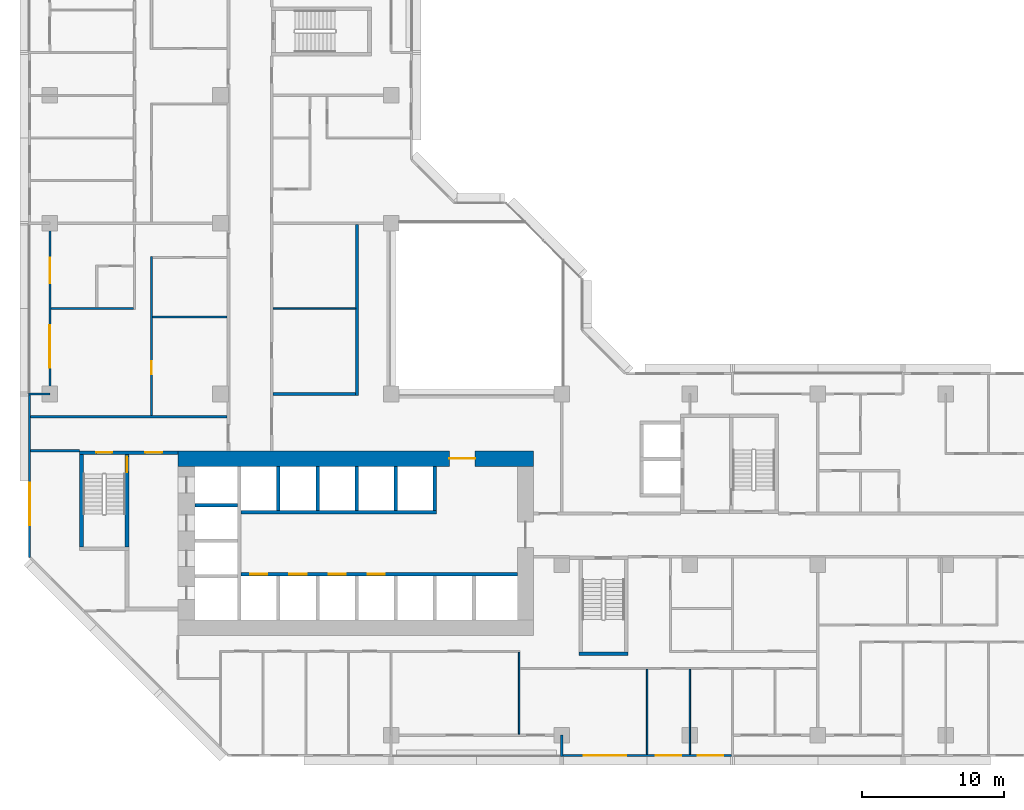
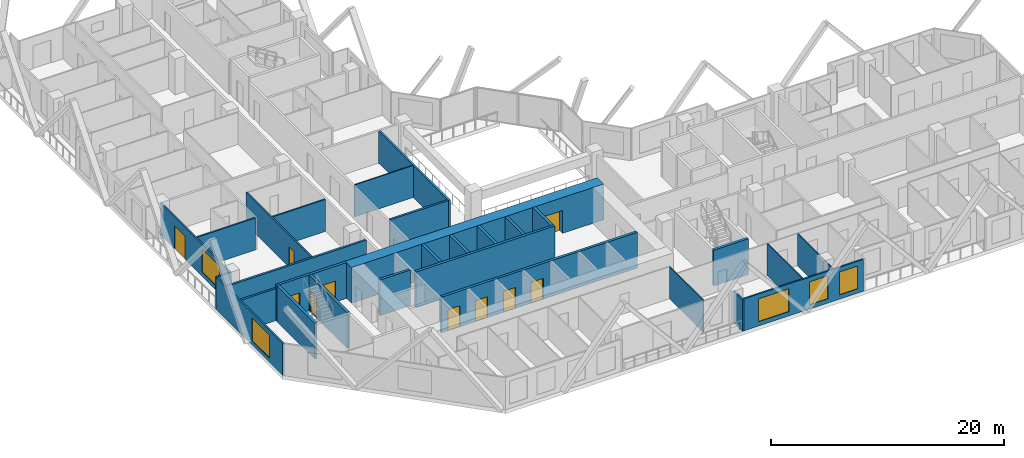
# One storey, part 5 of 15: 29 walls, 10 doors, 5 windows, 15 openings.
"""IFC4 building model written with IfcOpenShell, lengths in metres."""

from ifc_helpers import new_model, si_unit, direction, frame, frame_2d, origin, place, context, subcontext, project, spatial, rectangle, extrude, material, layer, layer_set, type_object, element, fill, save


model = new_model("IFC4")

# Units and contexts
model_context = context("Model", 3, precision=1e-05, world=origin(), true_north=direction((0.0, 1.0)))
body_context = subcontext(model_context, "Body", "Model", "MODEL_VIEW")
ifc_project = project(units=[si_unit("LENGTHUNIT", "METRE"), si_unit("AREAUNIT", "SQUARE_METRE"), si_unit("VOLUMEUNIT", "CUBIC_METRE"), si_unit("PLANEANGLEUNIT", "RADIAN"), si_unit("MASSUNIT", "GRAM", prefix="KILO")], contexts=[model_context])

# Site, building, storey
site_placement = place(None, origin())
site = spatial("IfcSite", under=ifc_project, at=site_placement, CompositionType="ELEMENT")
building_placement = place(site_placement, origin())
building = spatial("IfcBuilding", under=site, at=building_placement, Name="Chenar Terraces", CompositionType="ELEMENT")
storey_placement = place(building_placement, frame((0.0, 0.0, 63.89990234375)))
storey = spatial("IfcBuildingStorey", under=building, at=storey_placement, Name="L13", CompositionType="ELEMENT", Elevation=63.89990234375)

# Wall, opening, door
ifc_material_1 = material(Name="Concrete C70/85", Category="concrete")
ifc_layer_1 = layer(ifc_material_1, 1.10009765625)
ifc_layer_set_1 = layer_set([ifc_layer_1], Name="Concrete C70/85")
wall_type_1 = type_object("IfcWallType", Name="Core wall 1100 Concrete C70/85", PredefinedType="SHEAR", material=ifc_layer_set_1)
wall_1_placement = place(storey_placement, frame((9.0, 19.449951171875, 0.0), z_axis=(0.0, 0.0, 1.0), x_axis=(1.0, 0.0, 0.0)))
wall_1 = element("IfcWall", 1, at=wall_1_placement, inside=storey, type_object=wall_type_1, Name="Core wall N L13", PredefinedType="SHEAR", context=body_context, shape_type="SweptSolid", body=[
    extrude(rectangle(XDim=25.0, YDim=1.10009765625, at=frame_2d((12.5, 0.0))), origin(), (0.0, 0.0, 1.0), 3.75),
])
opening_1_placement = place(wall_1_placement, frame((19.10009765625, 0.0, 0.0)))
opening_1 = element("IfcOpeningElement", 2, at=opening_1_placement, cuts=wall_1, Name="Opening DL13-C2", PredefinedType="OPENING", context=body_context, shape_type="SweptSolid", body=[
    extrude(rectangle(XDim=1.800048828125, YDim=2.39990234375, at=frame_2d((0.89990234375, 1.199951171875))), frame((0.0, 0.56005859375, 0.0), z_axis=(0.0, -1.0, 0.0), x_axis=(1.0, 0.0, 0.0)), (0.0, 0.0, 1.0), 1.1201171875),
])
ifc_material_2 = material(Name="Steel-framed fire-resisting door leaf", Category="steel")
door_type_1 = type_object("IfcDoorType", Name="Core entrance double fire door FD60 1800 x 2400", OperationType="DOUBLE_DOOR_SINGLE_SWING", PredefinedType="DOOR", material=ifc_material_2)
door_1_placement = place(opening_1_placement, frame((1.800048828125, 0.0, 0.0), z_axis=(0.0, 0.0, 1.0), x_axis=(-1.0, 0.0, 0.0)))
door_1 = element("IfcDoor", 3, at=door_1_placement, inside=storey, type_object=door_type_1, Name="Core door DL13-C2", OperationType="DOUBLE_DOOR_SINGLE_SWING", OverallHeight=2.39990234375, OverallWidth=1.800048828125, PredefinedType="DOOR", context=body_context, shape_type="SweptSolid", body=[
    extrude(rectangle(XDim=1.800048828125, YDim=2.39990234375, at=frame_2d((0.89990234375, 1.199951171875))), frame((0.0, 0.02490234375, 0.0), z_axis=(0.0, -1.0, 0.0), x_axis=(1.0, 0.0, 0.0)), (0.0, 0.0, 1.0), 0.050048828125),
])
fill(opening_1, door_1)

# Wall, openings, doors
ifc_material_3 = material(Name="Concrete C70/85", Category="concrete")
ifc_layer_2 = layer(ifc_material_3, 0.25)
ifc_layer_set_2 = layer_set([ifc_layer_2], Name="Concrete C70/85")
wall_type_2 = type_object("IfcWallType", Name="Core wall 250 Concrete C70/85", PredefinedType="SHEAR", material=ifc_layer_set_2)
wall_2_placement = place(storey_placement, frame((13.449951171875, 11.324951171875, 0.0), z_axis=(0.0, 0.0, 1.0), x_axis=(1.0, 0.0, 0.0)))
wall_2 = element("IfcWall", 4, at=wall_2_placement, inside=storey, type_object=wall_type_2, Name="Core wall SF L13", PredefinedType="SHEAR", context=body_context, shape_type="SweptSolid", body=[
    extrude(rectangle(XDim=19.449951171875, YDim=0.25, at=frame_2d((9.72509765625, 0.0))), origin(), (0.0, 0.0, 1.0), 3.75),
])
opening_2_placement = place(wall_2_placement, frame((0.64990234375, 0.0, 0.0)))
opening_2 = element("IfcOpeningElement", 5, at=opening_2_placement, cuts=wall_2, Name="Opening DL13-LD1", PredefinedType="OPENING", context=body_context, shape_type="SweptSolid", body=[
    extrude(rectangle(XDim=1.199951171875, YDim=2.199951171875, at=frame_2d((0.60009765625, 1.10009765625))), frame((0.0, 0.135009765625, 0.0), z_axis=(0.0, -1.0, 0.0), x_axis=(1.0, 0.0, 0.0)), (0.0, 0.0, 1.0), 0.27001953125),
])
opening_3_placement = place(wall_2_placement, frame((3.39990234375, 0.0, 0.0)))
opening_3 = element("IfcOpeningElement", 6, at=opening_3_placement, cuts=wall_2, Name="Opening DL13-LD2", PredefinedType="OPENING", context=body_context, shape_type="SweptSolid", body=[
    extrude(rectangle(XDim=1.199951171875, YDim=2.199951171875, at=frame_2d((0.60009765625, 1.10009765625))), frame((0.0, 0.135009765625, 0.0), z_axis=(0.0, -1.0, 0.0), x_axis=(1.0, 0.0, 0.0)), (0.0, 0.0, 1.0), 0.27001953125),
])
opening_4_placement = place(wall_2_placement, frame((6.14990234375, 0.0, 0.0)))
opening_4 = element("IfcOpeningElement", 7, at=opening_4_placement, cuts=wall_2, Name="Opening DL13-LD3", PredefinedType="OPENING", context=body_context, shape_type="SweptSolid", body=[
    extrude(rectangle(XDim=1.199951171875, YDim=2.199951171875, at=frame_2d((0.60009765625, 1.10009765625))), frame((0.0, 0.135009765625, 0.0), z_axis=(0.0, -1.0, 0.0), x_axis=(1.0, 0.0, 0.0)), (0.0, 0.0, 1.0), 0.27001953125),
])
opening_5_placement = place(wall_2_placement, frame((8.89990234375, 0.0, 0.0)))
opening_5 = element("IfcOpeningElement", 8, at=opening_5_placement, cuts=wall_2, Name="Opening DL13-LD4", PredefinedType="OPENING", context=body_context, shape_type="SweptSolid", body=[
    extrude(rectangle(XDim=1.199951171875, YDim=2.199951171875, at=frame_2d((0.60009765625, 1.10009765625))), frame((0.0, 0.135009765625, 0.0), z_axis=(0.0, -1.0, 0.0), x_axis=(1.0, 0.0, 0.0)), (0.0, 0.0, 1.0), 0.27001953125),
])
ifc_material_4 = material(Name="Stainless steel", Category="steel")
door_type_2 = type_object("IfcDoorType", Name="Lift landing door 1200 x 2200 sliding", OperationType="DOUBLE_DOOR_SLIDING", PredefinedType="DOOR", material=ifc_material_4)
door_2_placement = place(opening_2_placement, origin())
door_2 = element("IfcDoor", 9, at=door_2_placement, inside=storey, type_object=door_type_2, Name="Landing door L1", OperationType="DOUBLE_DOOR_SLIDING", OverallHeight=2.199951171875, OverallWidth=1.199951171875, PredefinedType="DOOR", context=body_context, shape_type="SweptSolid", body=[
    extrude(rectangle(XDim=1.199951171875, YDim=2.199951171875, at=frame_2d((0.60009765625, 1.10009765625))), frame((0.0, 0.02490234375, 0.0), z_axis=(0.0, -1.0, 0.0), x_axis=(1.0, 0.0, 0.0)), (0.0, 0.0, 1.0), 0.050048828125),
])
fill(opening_2, door_2)
door_3_placement = place(opening_3_placement, origin())
door_3 = element("IfcDoor", 10, at=door_3_placement, inside=storey, type_object=door_type_2, Name="Landing door L2", OperationType="DOUBLE_DOOR_SLIDING", OverallHeight=2.199951171875, OverallWidth=1.199951171875, PredefinedType="DOOR", context=body_context, shape_type="SweptSolid", body=[
    extrude(rectangle(XDim=1.199951171875, YDim=2.199951171875, at=frame_2d((0.60009765625, 1.10009765625))), frame((0.0, 0.02490234375, 0.0), z_axis=(0.0, -1.0, 0.0), x_axis=(1.0, 0.0, 0.0)), (0.0, 0.0, 1.0), 0.050048828125),
])
fill(opening_3, door_3)
door_4_placement = place(opening_4_placement, origin())
door_4 = element("IfcDoor", 11, at=door_4_placement, inside=storey, type_object=door_type_2, Name="Landing door L3", OperationType="DOUBLE_DOOR_SLIDING", OverallHeight=2.199951171875, OverallWidth=1.199951171875, PredefinedType="DOOR", context=body_context, shape_type="SweptSolid", body=[
    extrude(rectangle(XDim=1.199951171875, YDim=2.199951171875, at=frame_2d((0.60009765625, 1.10009765625))), frame((0.0, 0.02490234375, 0.0), z_axis=(0.0, -1.0, 0.0), x_axis=(1.0, 0.0, 0.0)), (0.0, 0.0, 1.0), 0.050048828125),
])
fill(opening_4, door_4)
door_5_placement = place(opening_5_placement, origin())
door_5 = element("IfcDoor", 12, at=door_5_placement, inside=storey, type_object=door_type_2, Name="Landing door L4", OperationType="DOUBLE_DOOR_SLIDING", OverallHeight=2.199951171875, OverallWidth=1.199951171875, PredefinedType="DOOR", context=body_context, shape_type="SweptSolid", body=[
    extrude(rectangle(XDim=1.199951171875, YDim=2.199951171875, at=frame_2d((0.60009765625, 1.10009765625))), frame((0.0, 0.02490234375, 0.0), z_axis=(0.0, -1.0, 0.0), x_axis=(1.0, 0.0, 0.0)), (0.0, 0.0, 1.0), 0.050048828125),
])
fill(opening_5, door_5)

# Walls
wall_3_placement = place(storey_placement, frame((13.449951171875, 15.675048828125, 0.0), z_axis=(0.0, 0.0, 1.0), x_axis=(1.0, 0.0, 0.0)))
element("IfcWall", 13, at=wall_3_placement, inside=storey, type_object=wall_type_2, Name="Core wall NF L13", PredefinedType="SHEAR", context=body_context, shape_type="SweptSolid", body=[
    extrude(rectangle(XDim=13.75, YDim=0.25, at=frame_2d((6.875, 0.0))), origin(), (0.0, 0.0, 1.0), 3.75),
])
wall_4_placement = place(storey_placement, frame((10.199951171875, 16.175048828125, 0.0), z_axis=(0.0, 0.0, 1.0), x_axis=(1.0, 0.0, 0.0)))
element("IfcWall", 14, at=wall_4_placement, inside=storey, type_object=wall_type_2, Name="Core wall HW2 L13", PredefinedType="SHEAR", context=body_context, shape_type="SweptSolid", body=[
    extrude(rectangle(XDim=3.0, YDim=0.25, at=frame_2d((1.5, 0.0))), origin(), (0.0, 0.0, 1.0), 3.75),
])
for number, where, z_axis, x_axis, name in (
    (15, (16.074951171875, 15.800048828125, 0.0), (0.0, 0.0, 1.0), (0.0, 1.0, 0.0), "Core wall NS0 L13"),
    (16, (18.824951171875, 15.800048828125, 0.0), (0.0, 0.0, 1.0), (0.0, 1.0, 0.0), "Core wall NS1 L13"),
    (17, (21.574951171875, 15.800048828125, 0.0), (0.0, 0.0, 1.0), (0.0, 1.0, 0.0), "Core wall NS2 L13"),
    (18, (24.324951171875, 15.800048828125, 0.0), (0.0, 0.0, 1.0), (0.0, 1.0, 0.0), "Core wall NS3 L13"),
    (19, (27.074951171875, 15.800048828125, 0.0), (0.0, 0.0, 1.0), (0.0, 1.0, 0.0), "Core wall NE L13"),
):
    element("IfcWall", number, at=place(storey_placement, frame(where, z_axis=z_axis, x_axis=x_axis)), inside=storey, type_object=wall_type_2, Name=name, PredefinedType="SHEAR", context=body_context, shape_type="SweptSolid", body=[
        extrude(rectangle(XDim=3.099853515625, YDim=0.25, at=frame_2d((1.5498046875, 0.0))), origin(), (0.0, 0.0, 1.0), 3.75),
    ])

# Wall, openings, doors
wall_5_placement = place(storey_placement, frame((2.10009765625, 19.875, 0.0), z_axis=(0.0, 0.0, 1.0), x_axis=(1.0, 0.0, 0.0)))
wall_5 = element("IfcWall", 20, at=wall_5_placement, inside=storey, type_object=wall_type_2, Name="Core wall A_N L13", PredefinedType="SHEAR", context=body_context, shape_type="SweptSolid", body=[
    extrude(rectangle(XDim=6.89990234375, YDim=0.25, at=frame_2d((3.449951171875, 0.0))), origin(), (0.0, 0.0, 1.0), 3.75),
])
opening_6_placement = place(wall_5_placement, frame((1.175048828125, 0.0, 0.0)))
opening_6 = element("IfcOpeningElement", 21, at=opening_6_placement, cuts=wall_5, Name="Opening DL13-C5", PredefinedType="OPENING", context=body_context, shape_type="SweptSolid", body=[
    extrude(rectangle(XDim=1.10009765625, YDim=2.199951171875, at=frame_2d((0.550048828125, 1.10009765625))), frame((0.0, 0.135009765625, 0.0), z_axis=(0.0, -1.0, 0.0), x_axis=(1.0, 0.0, 0.0)), (0.0, 0.0, 1.0), 0.27001953125),
])
opening_7_placement = place(wall_5_placement, frame((4.60009765625, 0.0, 0.0)))
opening_7 = element("IfcOpeningElement", 22, at=opening_7_placement, cuts=wall_5, Name="Opening DL13-C6", PredefinedType="OPENING", context=body_context, shape_type="SweptSolid", body=[
    extrude(rectangle(XDim=1.199951171875, YDim=2.199951171875, at=frame_2d((0.60009765625, 1.10009765625))), frame((0.0, 0.135009765625, 0.0), z_axis=(0.0, -1.0, 0.0), x_axis=(1.0, 0.0, 0.0)), (0.0, 0.0, 1.0), 0.27001953125),
])
ifc_material_5 = material(Name="Steel-framed fire-resisting door leaf", Category="steel")
door_type_3 = type_object("IfcDoorType", Name="Lobby fire door FD60 1200 x 2200", OperationType="SINGLE_SWING_LEFT", PredefinedType="DOOR", material=ifc_material_5)
door_6_placement = place(opening_7_placement, frame((1.199951171875, 0.0, 0.0), z_axis=(0.0, 0.0, 1.0), x_axis=(-1.0, 0.0, 0.0)))
door_6 = element("IfcDoor", 23, at=door_6_placement, inside=storey, type_object=door_type_3, Name="Core door DL13-C6", OperationType="SINGLE_SWING_LEFT", OverallHeight=2.199951171875, OverallWidth=1.199951171875, PredefinedType="DOOR", context=body_context, shape_type="SweptSolid", body=[
    extrude(rectangle(XDim=1.199951171875, YDim=2.199951171875, at=frame_2d((0.60009765625, 1.10009765625))), frame((0.0, 0.02490234375, 0.0), z_axis=(0.0, -1.0, 0.0), x_axis=(1.0, 0.0, 0.0)), (0.0, 0.0, 1.0), 0.050048828125),
])
fill(opening_7, door_6)
ifc_material_6 = material(Name="Steel-framed fire-resisting door leaf", Category="steel")
door_type_4 = type_object("IfcDoorType", Name="Stair fire door FD60 1100 x 2200", OperationType="SINGLE_SWING_LEFT", PredefinedType="DOOR", material=ifc_material_6)
door_7_placement = place(opening_6_placement, origin())
door_7 = element("IfcDoor", 24, at=door_7_placement, inside=storey, type_object=door_type_4, Name="Stair door DL13-C5", OperationType="SINGLE_SWING_LEFT", OverallHeight=2.199951171875, OverallWidth=1.10009765625, PredefinedType="DOOR", context=body_context, shape_type="SweptSolid", body=[
    extrude(rectangle(XDim=1.10009765625, YDim=2.199951171875, at=frame_2d((0.550048828125, 1.10009765625))), frame((0.0, 0.02490234375, 0.0), z_axis=(0.0, -1.0, 0.0), x_axis=(1.0, 0.0, 0.0)), (0.0, 0.0, 1.0), 0.050048828125),
])
fill(opening_6, door_7)

# Wall
wall_6_placement = place(storey_placement, frame((2.22509765625, 13.25, 0.0), z_axis=(0.0, 0.0, 1.0), x_axis=(0.0, 1.0, 0.0)))
element("IfcWall", 25, at=wall_6_placement, inside=storey, type_object=wall_type_2, Name="Core wall ST1_W L13", PredefinedType="SHEAR", context=body_context, shape_type="SweptSolid", body=[
    extrude(rectangle(XDim=6.5, YDim=0.25, at=frame_2d((3.25, 0.0))), origin(), (0.0, 0.0, 1.0), 3.75),
])

# Wall, opening, door
wall_7_placement = place(storey_placement, frame((5.425048828125, 13.25, 0.0), z_axis=(0.0, 0.0, 1.0), x_axis=(0.0, 1.0, 0.0)))
wall_7 = element("IfcWall", 26, at=wall_7_placement, inside=storey, type_object=wall_type_2, Name="Core wall ST1_E L13", PredefinedType="SHEAR", context=body_context, shape_type="SweptSolid", body=[
    extrude(rectangle(XDim=6.5, YDim=0.25, at=frame_2d((3.25, 0.0))), origin(), (0.0, 0.0, 1.0), 3.75),
])
opening_8_placement = place(wall_7_placement, frame((5.25, 0.0, 0.0)))
opening_8 = element("IfcOpeningElement", 27, at=opening_8_placement, cuts=wall_7, Name="Opening DL13-C3", PredefinedType="OPENING", context=body_context, shape_type="SweptSolid", body=[
    extrude(rectangle(XDim=1.10009765625, YDim=2.199951171875, at=frame_2d((0.550048828125, 1.10009765625))), frame((0.0, 0.135009765625, 0.0), z_axis=(0.0, -1.0, 0.0), x_axis=(1.0, 0.0, 0.0)), (0.0, 0.0, 1.0), 0.27001953125),
])
door_8_placement = place(opening_8_placement, origin())
door_8 = element("IfcDoor", 28, at=door_8_placement, inside=storey, type_object=door_type_4, Name="Stair door DL13-C3", OperationType="SINGLE_SWING_RIGHT", OverallHeight=2.199951171875, OverallWidth=1.10009765625, PredefinedType="DOOR", context=body_context, shape_type="SweptSolid", body=[
    extrude(rectangle(XDim=1.10009765625, YDim=2.199951171875, at=frame_2d((0.550048828125, 1.10009765625))), frame((0.0, 0.02490234375, 0.0), z_axis=(0.0, -1.0, 0.0), x_axis=(1.0, 0.0, 0.0)), (0.0, 0.0, 1.0), 0.050048828125),
])
fill(opening_8, door_8)

# Walls
wall_8_placement = place(storey_placement, frame((37.199951171875, 5.72509765625, 0.0), z_axis=(0.0, 0.0, 1.0), x_axis=(1.0, 0.0, 0.0)))
element("IfcWall", 29, at=wall_8_placement, inside=storey, type_object=wall_type_2, Name="Core wall ST2_S L13", PredefinedType="SHEAR", context=body_context, shape_type="SweptSolid", body=[
    extrude(rectangle(XDim=3.449951171875, YDim=0.25, at=frame_2d((1.72509765625, 0.0))), origin(), (0.0, 0.0, 1.0), 3.75),
])
ifc_material_7 = material(Name="Gypsum board on steel studs with fire boards", Category="steel")
ifc_layer_3 = layer(ifc_material_7, 0.199951171875)
ifc_layer_set_3 = layer_set([ifc_layer_3], Name="Gypsum board on steel studs with fire boards")
wall_type_3 = type_object("IfcWallType", Name="Corridor wall 200", PredefinedType="PARTITIONING", material=ifc_layer_set_3)
wall_9_placement = place(storey_placement, frame((-1.35009765625, 20.0, 0.0), z_axis=(0.0, 0.0, 1.0), x_axis=(1.0, 0.0, 0.0)))
element("IfcWall", 30, at=wall_9_placement, inside=storey, type_object=wall_type_3, Name="Partition L13-004", PredefinedType="PARTITIONING", context=body_context, shape_type="SweptSolid", body=[
    extrude(rectangle(XDim=3.4501953125, YDim=0.199951171875, at=frame_2d((1.72509765625, 0.0))), origin(), (0.0, 0.0, 1.0), 3.35009765625),
])
wall_10_placement = place(storey_placement, frame((-1.35009765625, 22.39990234375, 0.0), z_axis=(0.0, 0.0, 1.0), x_axis=(1.0, 0.0, 0.0)))
element("IfcWall", 31, at=wall_10_placement, inside=storey, type_object=wall_type_3, Name="Partition L13-005", PredefinedType="PARTITIONING", context=body_context, shape_type="SweptSolid", body=[
    extrude(rectangle(XDim=13.800048828125, YDim=0.199951171875, at=frame_2d((6.89990234375, 0.0))), origin(), (0.0, 0.0, 1.0), 3.35009765625),
])
wall_11_placement = place(storey_placement, frame((15.699951171875, 24.0, 0.0), z_axis=(0.0, 0.0, 1.0), x_axis=(1.0, 0.0, 0.0)))
element("IfcWall", 32, at=wall_11_placement, inside=storey, type_object=wall_type_3, Name="Partition L13-035", PredefinedType="PARTITIONING", context=body_context, shape_type="SweptSolid", body=[
    extrude(rectangle(XDim=5.800048828125, YDim=0.199951171875, at=frame_2d((2.89990234375, 0.0))), origin(), (0.0, 0.0, 1.0), 3.35009765625),
])
wall_12_placement = place(storey_placement, frame((21.60009765625, 23.89990234375, 0.0), z_axis=(0.0, 0.0, 1.0), x_axis=(0.0, 1.0, 0.0)))
element("IfcWall", 33, at=wall_12_placement, inside=storey, type_object=wall_type_3, Name="Partition L13-053", PredefinedType="PARTITIONING", context=body_context, shape_type="SweptSolid", body=[
    extrude(rectangle(XDim=12.0, YDim=0.199951171875, at=frame_2d((6.0, 0.0))), origin(), (0.0, 0.0, 1.0), 3.35009765625),
])

# Wall, opening, window
ifc_material_8 = material(Name="Aluminium framed glazing", Category="aluminium")
ifc_layer_4 = layer(ifc_material_8, 0.14990234375)
ifc_layer_set_4 = layer_set([ifc_layer_4], Name="Aluminium framed glazing")
wall_type_4 = type_object("IfcWallType", Name="Glazed flush facade wall 150", PredefinedType="SOLIDWALL", material=ifc_layer_set_4)
wall_13_placement = place(storey_placement, frame((-1.425048828125, 23.925048828125, 0.0), z_axis=(0.0, 0.0, 1.0), x_axis=(0.0, -1.0, 0.0)))
wall_13 = element("IfcWall", 34, at=wall_13_placement, inside=storey, type_object=wall_type_4, Name="Glazed flush facade wall", PredefinedType="SOLIDWALL", context=body_context, shape_type="SweptSolid", body=[
    extrude(rectangle(XDim=11.425048828125, YDim=0.14990234375, at=frame_2d((5.71240234375, 0.0))), origin(), (0.0, 0.0, 1.0), 3.35009765625),
])
opening_9_placement = place(wall_13_placement, frame((6.175048828125, 0.0, 0.449951171875)))
opening_9 = element("IfcOpeningElement", 35, at=opening_9_placement, cuts=wall_13, Name="Opening W300x240", PredefinedType="OPENING", context=body_context, shape_type="SweptSolid", body=[
    extrude(rectangle(XDim=3.0, YDim=2.39990234375, at=frame_2d((1.5, 1.199951171875))), frame((0.0, 0.0849609375, 0.0), z_axis=(0.0, -1.0, 0.0), x_axis=(1.0, 0.0, 0.0)), (0.0, 0.0, 1.0), 0.169921875),
])
ifc_material_9 = material(Name="Low emissivity double glazing, aluminium frame", Category="aluminium")
window_type_1 = type_object("IfcWindowType", Name="Fixed light 3000 x 2400", PartitioningType="SINGLE_PANEL", PredefinedType="WINDOW", material=ifc_material_9)
window_1_placement = place(opening_9_placement, origin())
window_1 = element("IfcWindow", 36, at=window_1_placement, inside=storey, type_object=window_type_1, Name="Window", OverallHeight=2.39990234375, OverallWidth=3.0, PartitioningType="SINGLE_PANEL", PredefinedType="WINDOW", context=body_context, shape_type="SweptSolid", body=[
    extrude(rectangle(XDim=3.0, YDim=2.39990234375, at=frame_2d((1.5, 1.199951171875))), frame((0.0, 0.030029296875, 0.0), z_axis=(0.0, -1.0, 0.0), x_axis=(1.0, 0.0, 0.0)), (0.0, 0.0, 1.0), 0.06005859375),
])
fill(opening_9, window_1)

# Wall, openings, windows
wall_14_placement = place(storey_placement, frame((36.074951171875, -1.425048828125, 0.0), z_axis=(0.0, 0.0, 1.0), x_axis=(1.0, 0.0, 0.0)))
wall_14 = element("IfcWall", 37, at=wall_14_placement, inside=storey, type_object=wall_type_4, Name="Glazed flush facade wall", PredefinedType="SOLIDWALL", context=body_context, shape_type="SweptSolid", body=[
    extrude(rectangle(XDim=11.85009765625, YDim=0.14990234375, at=frame_2d((5.925048828125, 0.0))), origin(), (0.0, 0.0, 1.0), 3.35009765625),
])
opening_10_placement = place(wall_14_placement, frame((1.46240234375, 0.0, 0.449951171875)))
opening_10 = element("IfcOpeningElement", 38, at=opening_10_placement, cuts=wall_14, Name="Opening W300x240", PredefinedType="OPENING", context=body_context, shape_type="SweptSolid", body=[
    extrude(rectangle(XDim=3.0, YDim=2.39990234375, at=frame_2d((1.5, 1.199951171875))), frame((0.0, 0.0849609375, 0.0), z_axis=(0.0, -1.0, 0.0), x_axis=(1.0, 0.0, 0.0)), (0.0, 0.0, 1.0), 0.169921875),
])
opening_11_placement = place(wall_14_placement, frame((6.52490234375, 0.0, 0.449951171875)))
opening_11 = element("IfcOpeningElement", 39, at=opening_11_placement, cuts=wall_14, Name="Opening W180x240", PredefinedType="OPENING", context=body_context, shape_type="SweptSolid", body=[
    extrude(rectangle(XDim=1.800048828125, YDim=2.39990234375, at=frame_2d((0.89990234375, 1.199951171875))), frame((0.0, 0.0849609375, 0.0), z_axis=(0.0, -1.0, 0.0), x_axis=(1.0, 0.0, 0.0)), (0.0, 0.0, 1.0), 0.169921875),
])
opening_12_placement = place(wall_14_placement, frame((9.487548828125, 0.0, 0.449951171875)))
opening_12 = element("IfcOpeningElement", 40, at=opening_12_placement, cuts=wall_14, Name="Opening W180x240", PredefinedType="OPENING", context=body_context, shape_type="SweptSolid", body=[
    extrude(rectangle(XDim=1.800048828125, YDim=2.39990234375, at=frame_2d((0.89990234375, 1.199951171875))), frame((0.0, 0.0849609375, 0.0), z_axis=(0.0, -1.0, 0.0), x_axis=(1.0, 0.0, 0.0)), (0.0, 0.0, 1.0), 0.169921875),
])
ifc_material_10 = material(Name="Low emissivity double glazing, aluminium frame", Category="aluminium")
window_type_2 = type_object("IfcWindowType", Name="Fixed light 1800 x 2400", PartitioningType="SINGLE_PANEL", PredefinedType="WINDOW", material=ifc_material_10)
window_2_placement = place(opening_11_placement, origin())
window_2 = element("IfcWindow", 41, at=window_2_placement, inside=storey, type_object=window_type_2, Name="Window", OverallHeight=2.39990234375, OverallWidth=1.800048828125, PartitioningType="SINGLE_PANEL", PredefinedType="WINDOW", context=body_context, shape_type="SweptSolid", body=[
    extrude(rectangle(XDim=1.800048828125, YDim=2.39990234375, at=frame_2d((0.89990234375, 1.199951171875))), frame((0.0, 0.030029296875, 0.0), z_axis=(0.0, -1.0, 0.0), x_axis=(1.0, 0.0, 0.0)), (0.0, 0.0, 1.0), 0.06005859375),
])
fill(opening_11, window_2)
window_3_placement = place(opening_12_placement, origin())
window_3 = element("IfcWindow", 42, at=window_3_placement, inside=storey, type_object=window_type_2, Name="Window", OverallHeight=2.39990234375, OverallWidth=1.800048828125, PartitioningType="SINGLE_PANEL", PredefinedType="WINDOW", context=body_context, shape_type="SweptSolid", body=[
    extrude(rectangle(XDim=1.800048828125, YDim=2.39990234375, at=frame_2d((0.89990234375, 1.199951171875))), frame((0.0, 0.030029296875, 0.0), z_axis=(0.0, -1.0, 0.0), x_axis=(1.0, 0.0, 0.0)), (0.0, 0.0, 1.0), 0.06005859375),
])
fill(opening_12, window_3)
window_4_placement = place(opening_10_placement, origin())
window_4 = element("IfcWindow", 43, at=window_4_placement, inside=storey, type_object=window_type_1, Name="Window", OverallHeight=2.39990234375, OverallWidth=3.0, PartitioningType="SINGLE_PANEL", PredefinedType="WINDOW", context=body_context, shape_type="SweptSolid", body=[
    extrude(rectangle(XDim=3.0, YDim=2.39990234375, at=frame_2d((1.5, 1.199951171875))), frame((0.0, 0.030029296875, 0.0), z_axis=(0.0, -1.0, 0.0), x_axis=(1.0, 0.0, 0.0)), (0.0, 0.0, 1.0), 0.06005859375),
])
fill(opening_10, window_4)

# Wall, openings, window, door
ifc_material_11 = material(Name="Aluminium framed glazing", Category="aluminium")
ifc_layer_5 = layer(ifc_material_11, 0.14990234375)
ifc_layer_set_5 = layer_set([ifc_layer_5], Name="Aluminium framed glazing")
wall_type_5 = type_object("IfcWallType", Name="Glazed loggia back wall 150", PredefinedType="SOLIDWALL", material=ifc_layer_set_5)
wall_15_placement = place(storey_placement, frame((0.0, 35.925048828125, 0.0), z_axis=(0.0, 0.0, 1.0), x_axis=(0.0, -1.0, 0.0)))
wall_15 = element("IfcWall", 44, at=wall_15_placement, inside=storey, type_object=wall_type_5, Name="Glazed loggia back wall", PredefinedType="SOLIDWALL", context=body_context, shape_type="SweptSolid", body=[
    extrude(rectangle(XDim=11.85009765625, YDim=0.14990234375, at=frame_2d((5.925048828125, 0.0))), origin(), (0.0, 0.0, 1.0), 3.35009765625),
])
opening_13_placement = place(wall_15_placement, frame((2.35009765625, 0.0, 0.0)))
opening_13 = element("IfcOpeningElement", 45, at=opening_13_placement, cuts=wall_15, Name="Opening DL13-G4", PredefinedType="OPENING", context=body_context, shape_type="SweptSolid", body=[
    extrude(rectangle(XDim=1.800048828125, YDim=2.39990234375, at=frame_2d((0.89990234375, 1.199951171875))), frame((0.0, 0.0849609375, 0.0), z_axis=(0.0, -1.0, 0.0), x_axis=(1.0, 0.0, 0.0)), (0.0, 0.0, 1.0), 0.169921875),
])
opening_14_placement = place(wall_15_placement, frame((7.10009765625, 0.0, 0.449951171875)))
opening_14 = element("IfcOpeningElement", 46, at=opening_14_placement, cuts=wall_15, Name="Opening W300x240", PredefinedType="OPENING", context=body_context, shape_type="SweptSolid", body=[
    extrude(rectangle(XDim=3.0, YDim=2.39990234375, at=frame_2d((1.5, 1.199951171875))), frame((0.0, 0.0849609375, 0.0), z_axis=(0.0, -1.0, 0.0), x_axis=(1.0, 0.0, 0.0)), (0.0, 0.0, 1.0), 0.169921875),
])
window_5_placement = place(opening_14_placement, origin())
window_5 = element("IfcWindow", 47, at=window_5_placement, inside=storey, type_object=window_type_1, Name="Window", OverallHeight=2.39990234375, OverallWidth=3.0, PartitioningType="SINGLE_PANEL", PredefinedType="WINDOW", context=body_context, shape_type="SweptSolid", body=[
    extrude(rectangle(XDim=3.0, YDim=2.39990234375, at=frame_2d((1.5, 1.199951171875))), frame((0.0, 0.030029296875, 0.0), z_axis=(0.0, -1.0, 0.0), x_axis=(1.0, 0.0, 0.0)), (0.0, 0.0, 1.0), 0.06005859375),
])
fill(opening_14, window_5)
ifc_material_12 = material(Name="Low emissivity double glazing, aluminium frame", Category="aluminium")
door_type_5 = type_object("IfcDoorType", Name="Loggia glazed double door 1800 x 2400", OperationType="DOUBLE_DOOR_SINGLE_SWING", PredefinedType="DOOR", material=ifc_material_12)
door_9_placement = place(opening_13_placement, frame((1.800048828125, 0.0, 0.0), z_axis=(0.0, 0.0, 1.0), x_axis=(-1.0, 0.0, 0.0)))
door_9 = element("IfcDoor", 48, at=door_9_placement, inside=storey, type_object=door_type_5, Name="Loggia glazed door", OperationType="DOUBLE_DOOR_SINGLE_SWING", OverallHeight=2.39990234375, OverallWidth=1.800048828125, PredefinedType="DOOR", context=body_context, shape_type="SweptSolid", body=[
    extrude(rectangle(XDim=1.800048828125, YDim=2.39990234375, at=frame_2d((0.89990234375, 1.199951171875))), frame((0.0, 0.02490234375, 0.0), z_axis=(0.0, -1.0, 0.0), x_axis=(1.0, 0.0, 0.0)), (0.0, 0.0, 1.0), 0.050048828125),
])
fill(opening_13, door_9)

# Walls
ifc_material_13 = material(Name="Gypsum board on steel studs", Category="steel")
ifc_layer_6 = layer(ifc_material_13, 0.10009765625)
ifc_layer_set_6 = layer_set([ifc_layer_6], Name="Gypsum board on steel studs")
wall_type_6 = type_object("IfcWallType", Name="Gypsum partition 100", PredefinedType="PARTITIONING", material=ifc_layer_set_6)
wall_16_placement = place(storey_placement, frame((15.699951171875, 30.0, 0.0), z_axis=(0.0, 0.0, 1.0), x_axis=(1.0, 0.0, 0.0)))
element("IfcWall", 49, at=wall_16_placement, inside=storey, type_object=wall_type_6, Name="Partition L13-036", PredefinedType="PARTITIONING", context=body_context, shape_type="SweptSolid", body=[
    extrude(rectangle(XDim=5.800048828125, YDim=0.10009765625, at=frame_2d((2.89990234375, 0.0))), origin(), (0.0, 0.0, 1.0), 3.35009765625),
])
wall_17_placement = place(storey_placement, frame((33.0, 0.073974609375, 0.0), z_axis=(0.0, 0.0, 1.0), x_axis=(0.0, 1.0, 0.0)))
element("IfcWall", 50, at=wall_17_placement, inside=storey, type_object=wall_type_6, Name="Partition L13-055", PredefinedType="PARTITIONING", context=body_context, shape_type="SweptSolid", body=[
    extrude(rectangle(XDim=5.776123046875, YDim=0.10009765625, at=frame_2d((2.88818359375, 0.0))), origin(), (0.0, 0.0, 1.0), 3.35009765625),
])
wall_18_placement = place(storey_placement, frame((42.0, -1.35009765625, 0.0), z_axis=(0.0, 0.0, 1.0), x_axis=(0.0, 1.0, 0.0)))
element("IfcWall", 51, at=wall_18_placement, inside=storey, type_object=wall_type_6, Name="Partition L13-061", PredefinedType="PARTITIONING", context=body_context, shape_type="SweptSolid", body=[
    extrude(rectangle(XDim=6.0, YDim=0.10009765625, at=frame_2d((3.0, 0.0))), origin(), (0.0, 0.0, 1.0), 3.35009765625),
])
wall_19_placement = place(storey_placement, frame((45.0, -1.35107421875, 0.0), z_axis=(0.0, 0.0, 1.0), x_axis=(0.0, 1.0, 0.0)))
element("IfcWall", 52, at=wall_19_placement, inside=storey, type_object=wall_type_6, Name="Partition L13-065", PredefinedType="PARTITIONING", context=body_context, shape_type="SweptSolid", body=[
    extrude(rectangle(XDim=6.0009765625, YDim=0.10009765625, at=frame_2d((3.00048828125, 0.0))), origin(), (0.0, 0.0, 1.0), 3.35009765625),
])
ifc_material_14 = material(Name="Terracotta cladding on insulated backing", Category="masonry")
ifc_layer_7 = layer(ifc_material_14, 0.14990234375)
ifc_layer_set_7 = layer_set([ifc_layer_7], Name="Terracotta cladding on insulated backing")
wall_type_7 = type_object("IfcWallType", Name="Loggia return wall 150", PredefinedType="SOLIDWALL", material=ifc_layer_set_7)
for number, where, z_axis, x_axis, name in (
    (53, (-1.5, 24.0, 0.0), (0.0, 0.0, 1.0), (1.0, 0.0, 0.0), "Loggia return wall"),
    (54, (36.0, -1.5, 0.0), (0.0, 0.0, 1.0), (0.0, 1.0, 0.0), "Loggia return wall"),
):
    element("IfcWall", number, at=place(storey_placement, frame(where, z_axis=z_axis, x_axis=x_axis)), inside=storey, type_object=wall_type_7, Name=name, PredefinedType="SOLIDWALL", context=body_context, shape_type="SweptSolid", body=[
        extrude(rectangle(XDim=1.5, YDim=0.14990234375, at=frame_2d((0.75, 0.0))), origin(), (0.0, 0.0, 1.0), 3.35009765625),
    ])
ifc_material_15 = material(Name="Moisture-resistant gypsum board on steel studs", Category="steel")
ifc_layer_8 = layer(ifc_material_15, 0.14990234375)
ifc_layer_set_8 = layer_set([ifc_layer_8], Name="Moisture-resistant gypsum board on steel studs")
wall_type_8 = type_object("IfcWallType", Name="Wet-room partition 150", PredefinedType="PARTITIONING", material=ifc_layer_set_8)
wall_20_placement = place(storey_placement, frame((0.073974609375, 30.0, 0.0), z_axis=(0.0, 0.0, 1.0), x_axis=(1.0, 0.0, 0.0)))
element("IfcWall", 55, at=wall_20_placement, inside=storey, type_object=wall_type_8, Name="Partition L13-008", PredefinedType="PARTITIONING", context=body_context, shape_type="SweptSolid", body=[
    extrude(rectangle(XDim=5.801025390625, YDim=0.14990234375, at=frame_2d((2.900390625, 0.0))), origin(), (0.0, 0.0, 1.0), 3.35009765625),
])

# Wall, opening, door
wall_21_placement = place(storey_placement, frame((7.14990234375, 22.5, 0.0), z_axis=(0.0, 0.0, 1.0), x_axis=(0.0, 1.0, 0.0)))
wall_21 = element("IfcWall", 56, at=wall_21_placement, inside=storey, type_object=wall_type_8, Name="Partition L13-017", PredefinedType="PARTITIONING", context=body_context, shape_type="SweptSolid", body=[
    extrude(rectangle(XDim=11.175048828125, YDim=0.14990234375, at=frame_2d((5.58740234375, 0.0))), origin(), (0.0, 0.0, 1.0), 3.35009765625),
])
opening_15_placement = place(wall_21_placement, frame((2.89990234375, 0.0, 0.0)))
opening_15 = element("IfcOpeningElement", 57, at=opening_15_placement, cuts=wall_21, Name="Opening DL13-67", PredefinedType="OPENING", context=body_context, shape_type="SweptSolid", body=[
    extrude(rectangle(XDim=0.89990234375, YDim=2.10009765625, at=frame_2d((0.449951171875, 1.050048828125))), frame((0.0, 0.0849609375, 0.0), z_axis=(0.0, -1.0, 0.0), x_axis=(1.0, 0.0, 0.0)), (0.0, 0.0, 1.0), 0.169921875),
])
ifc_material_16 = material(Name="Veneered timber door leaf", Category="wood")
door_type_6 = type_object("IfcDoorType", Name="Door 900 x 2100", OperationType="SINGLE_SWING_LEFT", PredefinedType="DOOR", material=ifc_material_16)
door_10_placement = place(opening_15_placement, frame((0.89990234375, 0.0, 0.0), z_axis=(0.0, 0.0, 1.0), x_axis=(-1.0, 0.0, 0.0)))
door_10 = element("IfcDoor", 58, at=door_10_placement, inside=storey, type_object=door_type_6, Name="Door DL13-67", OperationType="SINGLE_SWING_RIGHT", OverallHeight=2.10009765625, OverallWidth=0.89990234375, PredefinedType="DOOR", context=body_context, shape_type="SweptSolid", body=[
    extrude(rectangle(XDim=0.89990234375, YDim=2.10009765625, at=frame_2d((0.449951171875, 1.050048828125))), frame((0.0, 0.02490234375, 0.0), z_axis=(0.0, -1.0, 0.0), x_axis=(1.0, 0.0, 0.0)), (0.0, 0.0, 1.0), 0.050048828125),
])
fill(opening_15, door_10)

# Wall
wall_22_placement = place(storey_placement, frame((7.22509765625, 29.39990234375, 0.0), z_axis=(0.0, 0.0, 1.0), x_axis=(1.0, 0.0, 0.0)))
element("IfcWall", 59, at=wall_22_placement, inside=storey, type_object=wall_type_8, Name="Partition L13-021", PredefinedType="PARTITIONING", context=body_context, shape_type="SweptSolid", body=[
    extrude(rectangle(XDim=5.224853515625, YDim=0.14990234375, at=frame_2d((2.6123046875, 0.0))), origin(), (0.0, 0.0, 1.0), 3.35009765625),
])

save(model, "model.ifc")
